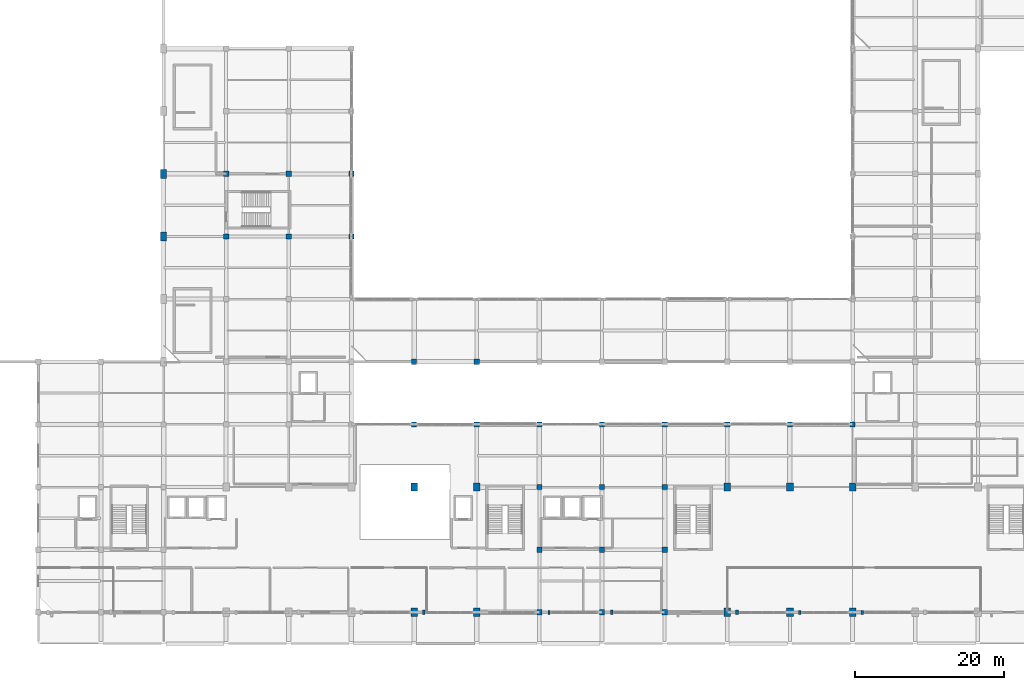
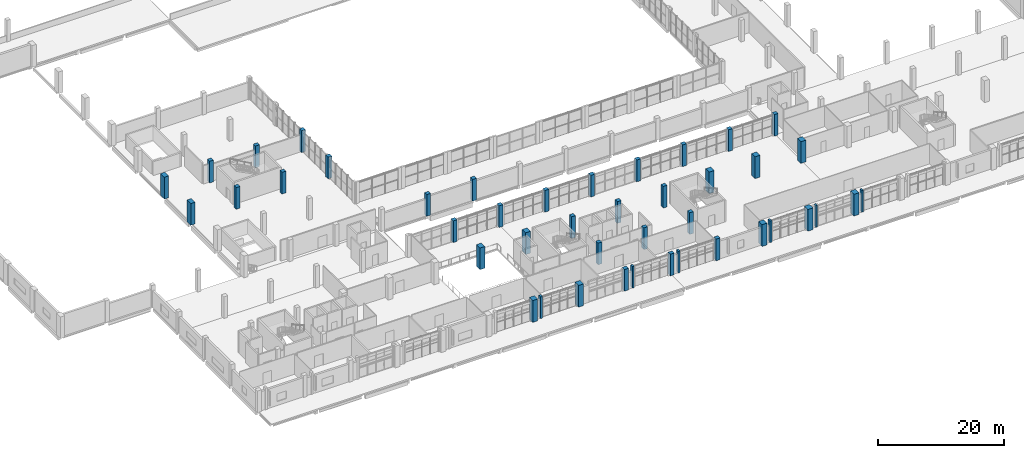
# One storey, part 3 of 59: 43 columns.
"""IFC4 building model written with IfcOpenShell, lengths in metres."""

from ifc_helpers import new_model, si_unit, derived_unit, direction, frame, origin, origin_2d, place, context, subcontext, project, spatial, rectangle, extrude, material, material_profile, profile_set, type_object, element, save


model = new_model("IFC4")

# Units and contexts
model_context = context("Model", 3, precision=1e-05, world=origin(), true_north=direction((0.0, 1.0)))
body_context = subcontext(model_context, "Body", "Model", "MODEL_VIEW")
ifc_project = project(units=[si_unit("LENGTHUNIT", "METRE"), si_unit("AREAUNIT", "SQUARE_METRE"), si_unit("VOLUMEUNIT", "CUBIC_METRE"), si_unit("PLANEANGLEUNIT", "RADIAN"), si_unit("MASSUNIT", "GRAM", prefix="KILO"), derived_unit("THERMALTRANSMITTANCEUNIT", [(si_unit("POWERUNIT", "WATT"), 1), (si_unit("LENGTHUNIT", "METRE"), -2), (si_unit("THERMODYNAMICTEMPERATUREUNIT", "KELVIN"), -1)])], contexts=[model_context])

# Site, building, storey
site_placement = place(None, origin())
site = spatial("IfcSite", under=ifc_project, at=site_placement, CompositionType="ELEMENT")
building_placement = place(site_placement, origin())
building = spatial("IfcBuilding", under=site, at=building_placement, Name="Barrovel Congress Hotel", CompositionType="ELEMENT")
storey_placement = place(building_placement, frame((0.0, 0.0, 9.89990234375)))
storey = spatial("IfcBuildingStorey", under=building, at=storey_placement, Name="L02", CompositionType="ELEMENT", Elevation=9.89990234375)

# Columns
ifc_material_1 = material(Name="Concrete C40", Category="concrete")
ifc_material_profile_1 = material_profile(ifc_material_1, rectangle(XDim=0.699951171875, YDim=0.699951171875, at=origin_2d()), Name="RC700x700")
ifc_profile_set_1 = profile_set([ifc_material_profile_1], Name="Concrete C40")
column_type_1 = type_object("IfcColumnType", Name="COL-RC700x700", PredefinedType="COLUMN", material=ifc_profile_set_1)
for number, where, z_axis, x_axis, name in (
    (1, (42.0, 54.60009765625, 0.0), (0.0, 0.0, 1.0), (1.0, 0.0, 0.0), "COL:L02:42.0:54.6"),
    (2, (42.0, 63.0, 0.0), (0.0, 0.0, 1.0), (1.0, 0.0, 0.0), "COL:L02:42.0:63.0"),
    (3, (50.39990234375, 54.60009765625, 0.0), (0.0, 0.0, 1.0), (1.0, 0.0, 0.0), "COL:L02:50.4:54.6"),
    (4, (50.39990234375, 63.0, 0.0), (0.0, 0.0, 1.0), (1.0, 0.0, 0.0), "COL:L02:50.4:63.0"),
    (5, (58.800048828125, 54.60009765625, 0.0), (0.0, 0.0, 1.0), (1.0, 0.0, 0.0), "COL:L02:58.8:54.6"),
    (6, (58.800048828125, 63.0, 0.0), (0.0, 0.0, 1.0), (1.0, 0.0, 0.0), "COL:L02:58.8:63.0"),
    (7, (67.199951171875, 29.39990234375, 0.0), (0.0, 0.0, 1.0), (1.0, 0.0, 0.0), "COL:L02:67.2:29.4"),
    (8, (67.199951171875, 37.800048828125, 0.0), (0.0, 0.0, 1.0), (1.0, 0.0, 0.0), "COL:L02:67.2:37.8"),
    (9, (75.60009765625, 29.39990234375, 0.0), (0.0, 0.0, 1.0), (1.0, 0.0, 0.0), "COL:L02:75.6:29.4"),
    (10, (75.60009765625, 37.800048828125, 0.0), (0.0, 0.0, 1.0), (1.0, 0.0, 0.0), "COL:L02:75.6:37.8"),
    (11, (84.0, 4.199951171875, 0.0), (0.0, 0.0, 1.0), (1.0, 0.0, 0.0), "COL:L02:84.0:4.2"),
    (12, (84.0, 12.60009765625, 0.0), (0.0, 0.0, 1.0), (1.0, 0.0, 0.0), "COL:L02:84.0:12.6"),
    (13, (84.0, 21.0, 0.0), (0.0, 0.0, 1.0), (1.0, 0.0, 0.0), "COL:L02:84.0:21.0"),
    (14, (84.0, 29.39990234375, 0.0), (0.0, 0.0, 1.0), (1.0, 0.0, 0.0), "COL:L02:84.0:29.4"),
    (15, (92.39990234375, 4.199951171875, 0.0), (0.0, 0.0, 1.0), (1.0, 0.0, 0.0), "COL:L02:92.4:4.2"),
    (16, (92.39990234375, 12.60009765625, 0.0), (0.0, 0.0, 1.0), (1.0, 0.0, 0.0), "COL:L02:92.4:12.6"),
    (17, (92.39990234375, 21.0, 0.0), (0.0, 0.0, 1.0), (1.0, 0.0, 0.0), "COL:L02:92.4:21.0"),
    (18, (92.39990234375, 29.39990234375, 0.0), (0.0, 0.0, 1.0), (1.0, 0.0, 0.0), "COL:L02:92.4:29.4"),
    (19, (100.800048828125, 4.199951171875, 0.0), (0.0, 0.0, 1.0), (1.0, 0.0, 0.0), "COL:L02:100.8:4.2"),
    (20, (100.800048828125, 12.60009765625, 0.0), (0.0, 0.0, 1.0), (1.0, 0.0, 0.0), "COL:L02:100.8:12.6"),
    (21, (100.800048828125, 21.0, 0.0), (0.0, 0.0, 1.0), (1.0, 0.0, 0.0), "COL:L02:100.8:21.0"),
    (22, (100.800048828125, 29.39990234375, 0.0), (0.0, 0.0, 1.0), (1.0, 0.0, 0.0), "COL:L02:100.8:29.4"),
    (23, (109.199951171875, 29.39990234375, 0.0), (0.0, 0.0, 1.0), (1.0, 0.0, 0.0), "COL:L02:109.2:29.4"),
    (24, (117.60009765625, 29.39990234375, 0.0), (0.0, 0.0, 1.0), (1.0, 0.0, 0.0), "COL:L02:117.6:29.4"),
    (25, (126.0, 29.39990234375, 0.0), (0.0, 0.0, 1.0), (1.0, 0.0, 0.0), "COL:L02:126.0:29.4"),
):
    element("IfcColumn", number, at=place(storey_placement, frame(where, z_axis=z_axis, x_axis=x_axis)), inside=storey, type_object=column_type_1, Name=name, PredefinedType="COLUMN", context=body_context, shape_type="SweptSolid", body=[
        extrude(rectangle(XDim=0.699951171875, YDim=0.699951171875, at=origin_2d()), origin(), (0.0, 0.0, 1.0), 4.2001953125),
    ])
ifc_material_profile_2 = material_profile(ifc_material_1, rectangle(XDim=0.800048828125, YDim=1.199951171875, at=origin_2d()), Name="RC800x1200")
ifc_profile_set_2 = profile_set([ifc_material_profile_2], Name="Concrete C40")
column_type_2 = type_object("IfcColumnType", Name="COL-RC800x1200", PredefinedType="COLUMN", material=ifc_profile_set_2)
for number, where, z_axis, x_axis, name in (
    (26, (33.60009765625, 54.60009765625, 0.0), (0.0, 0.0, 1.0), (1.0, 0.0, 0.0), "COL:L02:33.6:54.6"),
    (27, (33.60009765625, 63.0, 0.0), (0.0, 0.0, 1.0), (1.0, 0.0, 0.0), "COL:L02:33.6:63.0"),
):
    element("IfcColumn", number, at=place(storey_placement, frame(where, z_axis=z_axis, x_axis=x_axis)), inside=storey, type_object=column_type_2, Name=name, PredefinedType="COLUMN", context=body_context, shape_type="SweptSolid", body=[
        extrude(rectangle(XDim=0.800048828125, YDim=1.199951171875, at=origin_2d()), origin(), (0.0, 0.0, 1.0), 4.2001953125),
    ])
ifc_material_2 = material(Name="Concrete C50", Category="concrete")
ifc_material_profile_3 = material_profile(ifc_material_2, rectangle(XDim=0.89990234375, YDim=1.10009765625, at=origin_2d()), Name="RC900x1100")
ifc_profile_set_3 = profile_set([ifc_material_profile_3], Name="Concrete C50")
column_type_3 = type_object("IfcColumnType", Name="COL-RC900x1100", PredefinedType="COLUMN", material=ifc_profile_set_3)
for number, where, z_axis, x_axis, name in (
    (28, (67.199951171875, 4.199951171875, 0.0), (0.0, 0.0, 1.0), (1.0, 0.0, 0.0), "COL:L02:67.2:4.2"),
    (29, (67.199951171875, 21.0, 0.0), (0.0, 0.0, 1.0), (1.0, 0.0, 0.0), "COL:L02:67.2:21.0"),
    (30, (75.60009765625, 4.199951171875, 0.0), (0.0, 0.0, 1.0), (1.0, 0.0, 0.0), "COL:L02:75.6:4.2"),
    (31, (75.60009765625, 21.0, 0.0), (0.0, 0.0, 1.0), (1.0, 0.0, 0.0), "COL:L02:75.6:21.0"),
    (32, (109.199951171875, 4.199951171875, 0.0), (0.0, 0.0, 1.0), (1.0, 0.0, 0.0), "COL:L02:109.2:4.2"),
    (33, (109.199951171875, 21.0, 0.0), (0.0, 0.0, 1.0), (1.0, 0.0, 0.0), "COL:L02:109.2:21.0"),
    (34, (117.60009765625, 4.199951171875, 0.0), (0.0, 0.0, 1.0), (1.0, 0.0, 0.0), "COL:L02:117.6:4.2"),
    (35, (117.60009765625, 21.0, 0.0), (0.0, 0.0, 1.0), (1.0, 0.0, 0.0), "COL:L02:117.6:21.0"),
    (36, (126.0, 4.199951171875, 0.0), (0.0, 0.0, 1.0), (1.0, 0.0, 0.0), "COL:L02:126.0:4.2"),
    (37, (126.0, 21.0, 0.0), (0.0, 0.0, 1.0), (1.0, 0.0, 0.0), "COL:L02:126.0:21.0"),
):
    element("IfcColumn", number, at=place(storey_placement, frame(where, z_axis=z_axis, x_axis=x_axis)), inside=storey, type_object=column_type_3, Name=name, PredefinedType="COLUMN", context=body_context, shape_type="SweptSolid", body=[
        extrude(rectangle(XDim=0.89990234375, YDim=1.10009765625, at=origin_2d()), origin(), (0.0, 0.0, 1.0), 4.2001953125),
    ])
ifc_material_profile_4 = material_profile(ifc_material_1, rectangle(XDim=0.300048828125, YDim=0.550048828125, at=origin_2d()), Name="RC300x550")
ifc_profile_set_4 = profile_set([ifc_material_profile_4], Name="Concrete C40")
column_type_4 = type_object("IfcColumnType", Name="PIL-RC300x550", PredefinedType="PILASTER", material=ifc_profile_set_4)
for number, where, z_axis, x_axis, name in (
    (38, (85.300048828125, 4.199951171875, 0.0), (0.0, 0.0, 1.0), (1.0, 0.0, 0.0), "PIL:L02:S:85.3"),
    (39, (118.89990234375, 4.199951171875, 0.0), (0.0, 0.0, 1.0), (1.0, 0.0, 0.0), "PIL:L02:S:118.9"),
    (40, (127.300048828125, 4.199951171875, 0.0), (0.0, 0.0, 1.0), (1.0, 0.0, 0.0), "PIL:L02:S:127.3"),
):
    element("IfcColumn", number, at=place(storey_placement, frame(where, z_axis=z_axis, x_axis=x_axis)), inside=storey, type_object=column_type_4, Name=name, PredefinedType="PILASTER", context=body_context, shape_type="SweptSolid", body=[
        extrude(rectangle(XDim=0.300048828125, YDim=0.550048828125, at=origin_2d()), origin(), (0.0, 0.0, 1.0), 4.2001953125),
    ])
ifc_material_profile_5 = material_profile(ifc_material_1, rectangle(XDim=0.35009765625, YDim=0.60009765625, at=origin_2d()), Name="RC350x600")
ifc_profile_set_5 = profile_set([ifc_material_profile_5], Name="Concrete C40")
column_type_5 = type_object("IfcColumnType", Name="PIL-RC350x600", PredefinedType="PILASTER", material=ifc_profile_set_5)
for number, where, z_axis, x_axis, name in (
    (41, (68.5, 4.199951171875, 0.0), (0.0, 0.0, 1.0), (1.0, 0.0, 0.0), "PIL:L02:S:68.5"),
    (42, (93.699951171875, 4.199951171875, 0.0), (0.0, 0.0, 1.0), (1.0, 0.0, 0.0), "PIL:L02:S:93.7"),
    (43, (110.5, 4.199951171875, 0.0), (0.0, 0.0, 1.0), (1.0, 0.0, 0.0), "PIL:L02:S:110.5"),
):
    element("IfcColumn", number, at=place(storey_placement, frame(where, z_axis=z_axis, x_axis=x_axis)), inside=storey, type_object=column_type_5, Name=name, PredefinedType="PILASTER", context=body_context, shape_type="SweptSolid", body=[
        extrude(rectangle(XDim=0.35009765625, YDim=0.60009765625, at=origin_2d()), origin(), (0.0, 0.0, 1.0), 4.2001953125),
    ])

save(model, "model.ifc")
